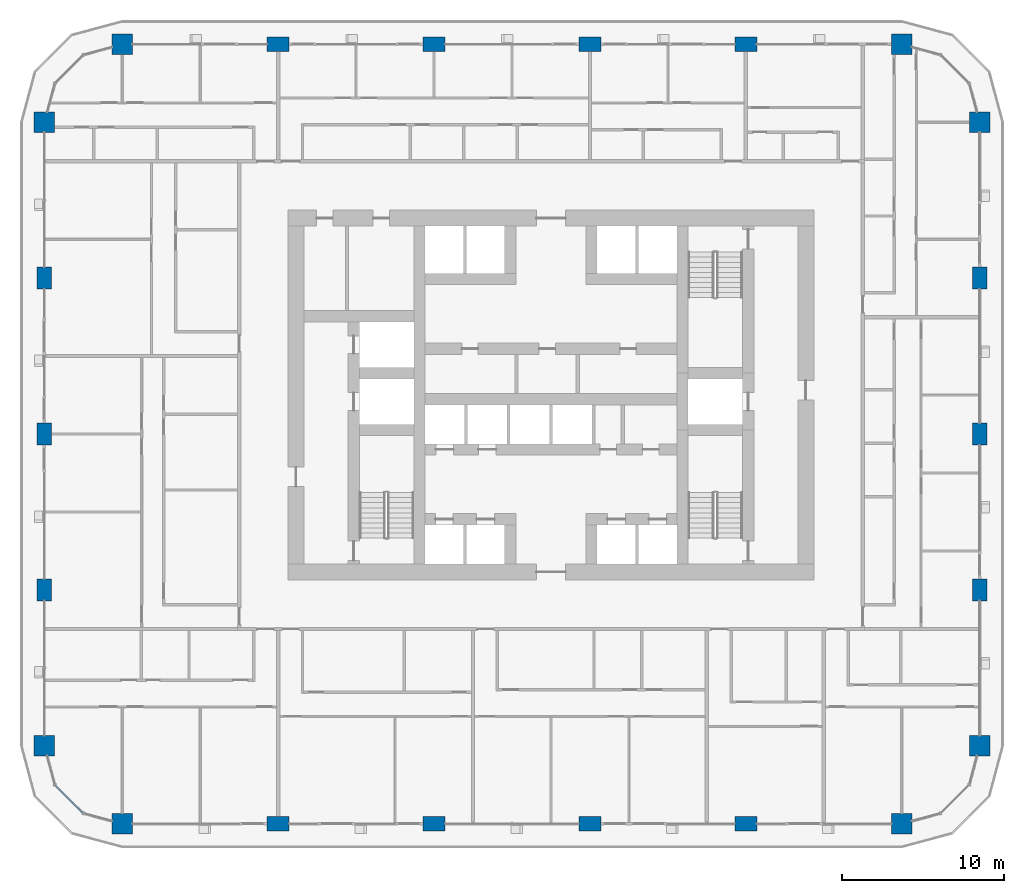
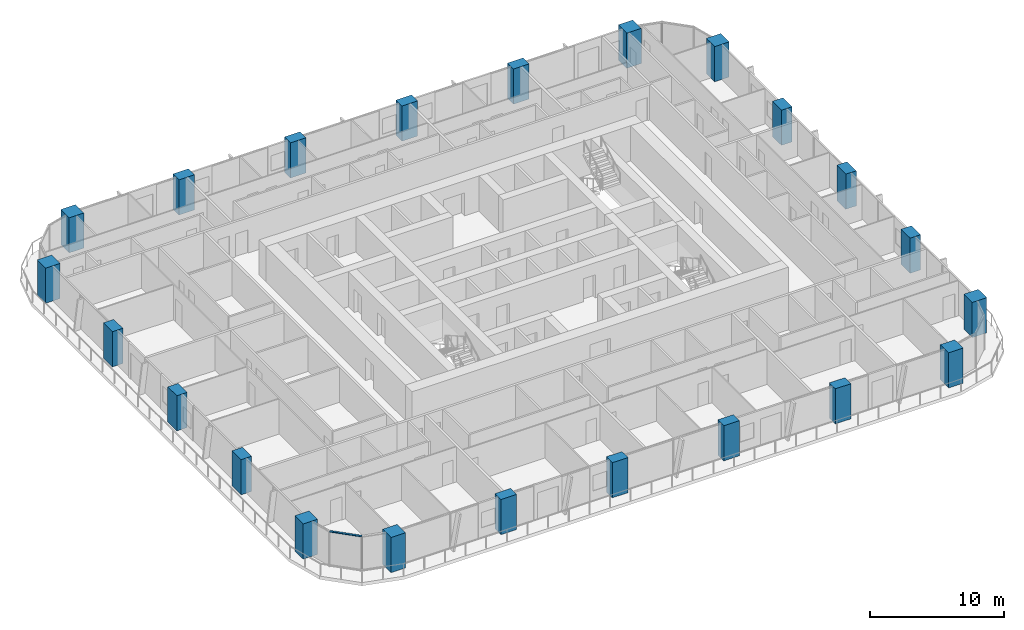
# One storey, part 1 of 21: 22 columns, 1 member, 1 element without a shape of its own.
"""IFC4 building model written with IfcOpenShell, lengths in metres."""

from ifc_helpers import new_model, si_unit, direction, frame, origin, origin_2d, place, context, subcontext, project, spatial, rectangle, extrude, material, layer, layer_set, material_profile, profile_set, type_object, element, aggregate, save


model = new_model("IFC4")

# Units and contexts
model_context = context("Model", 3, precision=1e-05, world=origin(), true_north=direction((0.0, 1.0)))
body_context = subcontext(model_context, "Body", "Model", "MODEL_VIEW")
ifc_project = project(units=[si_unit("LENGTHUNIT", "METRE"), si_unit("AREAUNIT", "SQUARE_METRE"), si_unit("VOLUMEUNIT", "CUBIC_METRE"), si_unit("PLANEANGLEUNIT", "RADIAN"), si_unit("MASSUNIT", "GRAM", prefix="KILO")], contexts=[model_context])

# Site, building, storey
site_placement = place(None, origin())
site = spatial("IfcSite", under=ifc_project, at=site_placement, CompositionType="ELEMENT")
building_placement = place(site_placement, origin())
building = spatial("IfcBuilding", under=site, at=building_placement, Name="Madar Terraces", CompositionType="ELEMENT")
storey_placement = place(building_placement, frame((0.0, 0.0, 32.89990234375)))
storey = spatial("IfcBuildingStorey", under=building, at=storey_placement, Name="L07", CompositionType="ELEMENT", Elevation=32.89990234375)

# Columns
ifc_material_1 = material(Name="Concrete C80/95", Category="concrete")
ifc_material_profile_1 = material_profile(ifc_material_1, rectangle(XDim=1.35009765625, YDim=0.89990234375, at=origin_2d()), Name="CC1 RC 1350x900")
ifc_profile_set_1 = profile_set([ifc_material_profile_1], Name="Concrete C80/95")
column_type_1 = type_object("IfcColumnType", Name="CC1 RC 1350x900", PredefinedType="COLUMN", material=ifc_profile_set_1)
for number, where, z_axis, x_axis, name in (
    (1, (14.39990234375, 0.0, 0.0), (0.0, 0.0, 1.0), (1.0, 0.0, 0.0), "Perimeter column S2"),
    (2, (24.0, 0.0, 0.0), (0.0, 0.0, 1.0), (1.0, 0.0, 0.0), "Perimeter column S3"),
    (3, (33.60009765625, 0.0, 0.0), (0.0, 0.0, 1.0), (1.0, 0.0, 0.0), "Perimeter column S4"),
    (4, (43.199951171875, 0.0, 0.0), (0.0, 0.0, 1.0), (1.0, 0.0, 0.0), "Perimeter column S5"),
    (5, (57.60009765625, 14.39990234375, 0.0), (0.0, 0.0, 1.0), (0.0, 1.0, 0.0), "Perimeter column E2"),
    (6, (57.60009765625, 24.0, 0.0), (0.0, 0.0, 1.0), (0.0, 1.0, 0.0), "Perimeter column E3"),
    (7, (57.60009765625, 33.60009765625, 0.0), (0.0, 0.0, 1.0), (0.0, 1.0, 0.0), "Perimeter column E4"),
    (8, (43.199951171875, 48.0, 0.0), (0.0, 0.0, 1.0), (1.0, 0.0, 0.0), "Perimeter column N2"),
    (9, (33.60009765625, 48.0, 0.0), (0.0, 0.0, 1.0), (1.0, 0.0, 0.0), "Perimeter column N3"),
    (10, (24.0, 48.0, 0.0), (0.0, 0.0, 1.0), (1.0, 0.0, 0.0), "Perimeter column N4"),
    (11, (14.39990234375, 48.0, 0.0), (0.0, 0.0, 1.0), (1.0, 0.0, 0.0), "Perimeter column N5"),
    (12, (0.0, 33.60009765625, 0.0), (0.0, 0.0, 1.0), (0.0, 1.0, 0.0), "Perimeter column W2"),
    (13, (0.0, 24.0, 0.0), (0.0, 0.0, 1.0), (0.0, 1.0, 0.0), "Perimeter column W3"),
    (14, (0.0, 14.39990234375, 0.0), (0.0, 0.0, 1.0), (0.0, 1.0, 0.0), "Perimeter column W4"),
):
    element("IfcColumn", number, at=place(storey_placement, frame(where, z_axis=z_axis, x_axis=x_axis)), inside=storey, type_object=column_type_1, Name=name, PredefinedType="COLUMN", context=body_context, shape_type="SweptSolid", body=[
        extrude(rectangle(XDim=1.35009765625, YDim=0.89990234375, at=origin_2d()), origin(), (0.0, 0.0, 1.0), 3.2001953125),
    ])
ifc_material_2 = material(Name="Concrete C80/95", Category="concrete")
ifc_material_profile_2 = material_profile(ifc_material_2, rectangle(XDim=1.25, YDim=1.25, at=origin_2d()), Name="KC1 RC 1250x1250")
ifc_profile_set_2 = profile_set([ifc_material_profile_2], Name="Concrete C80/95")
column_type_2 = type_object("IfcColumnType", Name="KC1 RC 1250x1250", PredefinedType="COLUMN", material=ifc_profile_set_2)
for number, where, z_axis, x_axis, name in (
    (15, (4.800048828125, 0.0, 0.0), (0.0, 0.0, 1.0), (1.0, 0.0, 0.0), "Perimeter column S1"),
    (16, (52.800048828125, 0.0, 0.0), (0.0, 0.0, 1.0), (1.0, 0.0, 0.0), "Perimeter column S6"),
    (17, (57.60009765625, 4.800048828125, 0.0), (0.0, 0.0, 1.0), (1.0, 0.0, 0.0), "Perimeter column E1"),
    (18, (57.60009765625, 43.199951171875, 0.0), (0.0, 0.0, 1.0), (1.0, 0.0, 0.0), "Perimeter column E5"),
    (19, (52.800048828125, 48.0, 0.0), (0.0, 0.0, 1.0), (1.0, 0.0, 0.0), "Perimeter column N1"),
    (20, (4.800048828125, 48.0, 0.0), (0.0, 0.0, 1.0), (1.0, 0.0, 0.0), "Perimeter column N6"),
    (21, (0.0, 43.199951171875, 0.0), (0.0, 0.0, 1.0), (1.0, 0.0, 0.0), "Perimeter column W1"),
    (22, (0.0, 4.800048828125, 0.0), (0.0, 0.0, 1.0), (1.0, 0.0, 0.0), "Perimeter column W5"),
):
    element("IfcColumn", number, at=place(storey_placement, frame(where, z_axis=z_axis, x_axis=x_axis)), inside=storey, type_object=column_type_2, Name=name, PredefinedType="COLUMN", context=body_context, shape_type="SweptSolid", body=[
        extrude(rectangle(XDim=1.25, YDim=1.25, at=origin_2d()), origin(), (0.0, 0.0, 1.0), 3.2001953125),
    ])

# Curtain wall, member
ifc_material_3 = material(Name="Glass, ceramic frit dark grey, with black aluminium frame", Category="aluminium")
ifc_layer = layer(ifc_material_3, 0.199951171875)
ifc_layer_set = layer_set([ifc_layer], Name="Facade curtain wall, fritted glass")
curtain_wall_type = type_object("IfcCurtainWallType", Name="Facade curtain wall, fritted glass", PredefinedType="NOTDEFINED", material=ifc_layer_set)
curtain_wall_placement = place(storey_placement, origin())
curtain_wall = element("IfcCurtainWall", 23, at=curtain_wall_placement, inside=storey, type_object=curtain_wall_type, Name="Outer skin curtain wall south-west corner", PredefinedType="NOTDEFINED")
ifc_material_4 = material(Name="Aluminium, black anodised", Category="aluminium")
ifc_material_profile_3 = material_profile(ifc_material_4, rectangle(XDim=0.1201171875, YDim=0.06005859375, at=origin_2d()), Name="Facade transom 60x120")
ifc_profile_set_3 = profile_set([ifc_material_profile_3], Name="Aluminium, black anodised")
member_type = type_object("IfcMemberType", Name="Facade transom 60x120", PredefinedType="USERDEFINED", material=ifc_profile_set_3)
member_placement = place(storey_placement, frame((0.664306640625, 2.37890625, 3.170166015625), z_axis=(0.707106781187, -0.707106781187, 0.0), x_axis=(0.707106781187, 0.707106781187, 0.0)))
member = element("IfcMember", 24, at=member_placement, type_object=member_type, Name="Transom 2", ObjectType="TRANSOM", PredefinedType="USERDEFINED", context=body_context, shape_type="SweptSolid", body=[
    extrude(rectangle(XDim=0.1201171875, YDim=0.06005859375, at=origin_2d()), origin(), (0.0, 0.0, 1.0), 2.4248046875),
])
aggregate(curtain_wall, [member])

save(model, "model.ifc")
